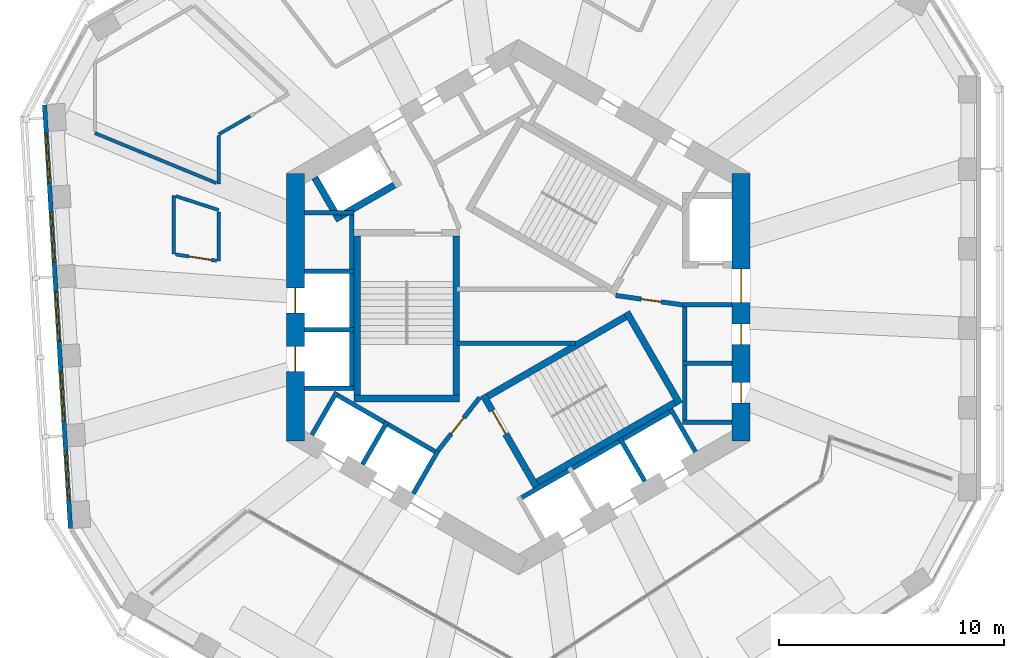
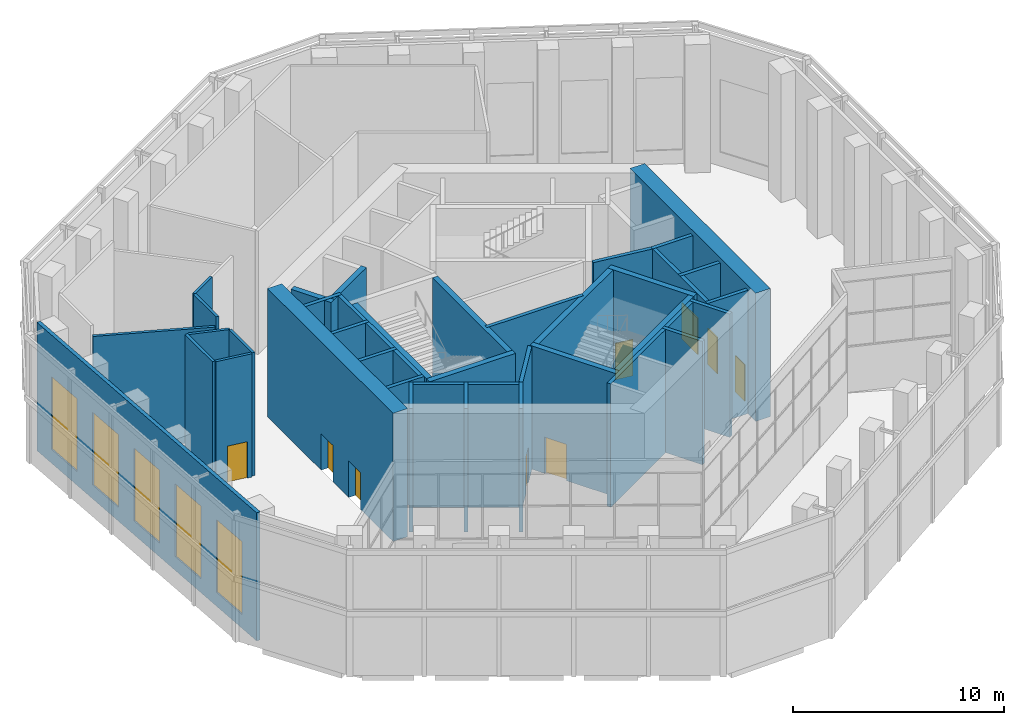
# One storey, part 9 of 17: 38 walls, 9 doors, 5 windows, 14 openings.
"""IFC4 building model written with IfcOpenShell, lengths in metres."""

import ifcopenshell
import ifcopenshell.guid

model = None  # the IFC model being written
_history = None  # IfcOwnerHistory: only IFC2X3 demands one
_inside = {}  # id of a spatial element -> (the spatial element, [elements in it])
_under = {}  # id of a project, library or spatial element -> (it, [spatial elements below it])
_declared = {}  # id of a project -> (the project, [libraries it declares])
_typed = {}  # id of a type object -> (the type object, [elements of that type])
_made_of = {}  # id of a material, layer set ... -> (it, [elements and type objects made of it])


def new_model(schema):
    """Start an empty IFC model of exactly this schema.

    Asked for "IFC4X3", IfcOpenShell would pick the latest addendum, in which some entities
    have other attributes; the version numbers below select the first issue.
    IFC2X3 requires an IfcOwnerHistory on every rooted entity: one is made here for all.
    """
    global model, _history
    if schema == "IFC4X3":
        model = ifcopenshell.file(schema_version=(4, 3, 0, 0))
    else:
        model = ifcopenshell.file(schema=schema)
    _inside.clear()
    _under.clear()
    _declared.clear()
    _typed.clear()
    _made_of.clear()
    _history = None
    if model.schema == "IFC2X3":
        org = make("IfcOrganization", Name="unknown")
        user = make(
            "IfcPersonAndOrganization",
            ThePerson=make("IfcPerson", FamilyName="unknown"),
            TheOrganization=org,
        )
        app = make(
            "IfcApplication",
            ApplicationDeveloper=org,
            Version="unknown",
            ApplicationFullName="unknown",
            ApplicationIdentifier="unknown",
        )
        _history = make(
            "IfcOwnerHistory",
            OwningUser=user,
            OwningApplication=app,
            ChangeAction="ADDED",
            CreationDate=0,
        )
    return model


def make(cls, **values):
    """One entity of the class cls with the attributes given. An attribute that is None is left unset."""
    return model.create_entity(
        cls, **{name: value for name, value in values.items() if value is not None}
    )


def rooted(cls, **values):
    """An entity with a GlobalId (a new one), such as an element, a storey or a relation."""
    return make(cls, GlobalId=ifcopenshell.guid.new(), OwnerHistory=_history, **values)


def si_unit(unit_type, name, prefix=None):
    """IfcSIUnit, for example si_unit("LENGTHUNIT", "METRE", prefix="MILLI")."""
    return make("IfcSIUnit", UnitType=unit_type, Prefix=prefix, Name=name)


def assignment(units):
    """IfcUnitAssignment: the units of a project."""
    return None if units is None else make("IfcUnitAssignment", Units=units)


def point(xyz):
    """IfcCartesianPoint."""
    return None if xyz is None else make("IfcCartesianPoint", Coordinates=xyz)


def direction(xyz):
    """IfcDirection."""
    return None if xyz is None else make("IfcDirection", DirectionRatios=xyz)


def frame(location, z_axis=None, x_axis=None):
    """IfcAxis2Placement3D, a coordinate frame: its origin and axes. An axis left out is left unset."""
    return make(
        "IfcAxis2Placement3D",
        Location=point(location),
        Axis=direction(z_axis),
        RefDirection=direction(x_axis),
    )


def frame_2d(location, x_axis=None):
    """IfcAxis2Placement2D, a coordinate frame in the plane: its origin and x axis."""
    return make(
        "IfcAxis2Placement2D", Location=point(location), RefDirection=direction(x_axis)
    )


def origin():
    """The frame at (0, 0, 0) with its axes left unset."""
    return frame((0.0, 0.0, 0.0))


def place(relative_to, where):
    """IfcLocalPlacement: puts the frame where relative to a parent placement (None: the world)."""
    return make(
        "IfcLocalPlacement", PlacementRelTo=relative_to, RelativePlacement=where
    )


def context(
    kind, dimensions, precision=None, world=None, true_north=None, identifier=None
):
    """IfcGeometricRepresentationContext, for example the 3D "Model" context."""
    return make(
        "IfcGeometricRepresentationContext",
        ContextIdentifier=identifier,
        ContextType=kind,
        CoordinateSpaceDimension=dimensions,
        Precision=precision,
        WorldCoordinateSystem=world,
        TrueNorth=true_north,
    )


def subcontext(parent, identifier, kind, view, scale=None):
    """IfcGeometricRepresentationSubContext, for example "Body" below "Model"."""
    return make(
        "IfcGeometricRepresentationSubContext",
        ContextIdentifier=identifier,
        ContextType=kind,
        ParentContext=parent,
        TargetScale=scale,
        TargetView=view,
    )


def project(units=None, contexts=None):
    """IfcProject with its units and contexts."""
    return rooted(
        "IfcProject",
        Name="project",
        RepresentationContexts=contexts,
        UnitsInContext=assignment(units),
    )


def spatial(cls, under=None, at=None, **own):
    """A site, building, storey or space (cls), placed at a placement, below another one or the project."""
    s = rooted(cls, ObjectPlacement=at, **own)
    if under is not None:
        _under.setdefault(under.id(), (under, []))[1].append(s)
    return s


def profile(cls, at=None, kind="AREA", **sizes):
    """A parametric profile (cls). Its sizes go by their IFC names, for example OverallWidth=200.0."""
    return make(cls, ProfileType=kind, Position=at, **sizes)


def rectangle(**sizes):
    """IfcRectangleProfileDef."""
    return profile("IfcRectangleProfileDef", **sizes)


def extrude(swept, where, along, depth):
    """IfcExtrudedAreaSolid: the profile swept, set in the frame where, extruded along a direction by depth."""
    return make(
        "IfcExtrudedAreaSolid",
        SweptArea=swept,
        Position=where,
        ExtrudedDirection=direction(along),
        Depth=depth,
    )


def shape(context_of_items, identifier, shape_type, items):
    """IfcShapeRepresentation: the items that make up one representation, for example the "Body"."""
    return make(
        "IfcShapeRepresentation",
        ContextOfItems=context_of_items,
        RepresentationIdentifier=identifier,
        RepresentationType=shape_type,
        Items=items,
    )


def material(Name=None, Category=None):
    """IfcMaterial."""
    return make("IfcMaterial", Name=Name, Category=Category)


def layer(
    of_material, thickness, ventilated=None, Name=None, Category=None, Priority=None
):
    """IfcMaterialLayer: one layer of a wall or slab, of a material (None: an air gap)."""
    return make(
        "IfcMaterialLayer",
        Material=of_material,
        LayerThickness=thickness,
        IsVentilated=ventilated,
        Name=Name,
        Category=Category,
        Priority=Priority,
    )


def layer_set(layers, Name=None):
    """IfcMaterialLayerSet."""
    return make("IfcMaterialLayerSet", MaterialLayers=layers, LayerSetName=Name)


def made_of(thing, what):
    """Note that an element or type object is made of a material, layer set ...; save() writes the relation."""
    if what is not None:
        _made_of.setdefault(what.id(), (what, []))[1].append(thing)
    return thing


def type_object(cls, material=None, **own):
    """A type object (cls), such as IfcWallType, which elements share."""
    return made_of(rooted(cls, **own), material)


def element(
    cls,
    number,
    at=None,
    inside=None,
    cuts=None,
    type_object=None,
    material=None,
    context=None,
    identifier="Body",
    shape_type=None,
    held_by="IfcProductDefinitionShape",
    body=None,
    shapes=None,
    **own,
):
    """One element of the class cls, such as IfcWall. Its Tag is "e" and its number.

    at: its placement. inside: the storey or other place that contains it. cuts: it is an
    opening in that element (IfcRelVoidsElement). A single representation is given by context,
    identifier, shape_type and body (its items); several are given by shapes. held_by: the class
    of the entity that holds the representations. save() writes the other relations.
    """
    e = rooted(cls, Tag="e%d" % number, ObjectPlacement=at, **own)
    if body is not None:
        shapes = [shape(context, identifier, shape_type, body)]
    if shapes is not None:
        e.Representation = make(held_by, Representations=shapes)
    if inside is not None:
        _inside.setdefault(inside.id(), (inside, []))[1].append(e)
    if cuts is not None:
        rooted(
            "IfcRelVoidsElement", RelatingBuildingElement=cuts, RelatedOpeningElement=e
        )
    if type_object is not None:
        _typed.setdefault(type_object.id(), (type_object, []))[1].append(e)
    return made_of(e, material)


def fill(opening, filler):
    """IfcRelFillsElement: the door or window that sits in an opening."""
    return rooted(
        "IfcRelFillsElement",
        RelatingOpeningElement=opening,
        RelatedBuildingElement=filler,
    )


def aggregate(whole, parts):
    """IfcRelAggregates: a whole, such as a stair, and the parts it consists of."""
    return rooted("IfcRelAggregates", RelatingObject=whole, RelatedObjects=parts)


def save(model, path):
    """Write the relations noted so far, then the file.

    IfcRelAggregates (storeys below a building ...), IfcRelContainedInSpatialStructure (elements
    in a storey), IfcRelDefinesByType, IfcRelAssociatesMaterial and IfcRelDeclares: one each for
    every whole, place, type object, material and project.
    """
    for whole, parts in _under.values():
        aggregate(whole, parts)
    for where, things in _inside.values():
        rooted(
            "IfcRelContainedInSpatialStructure",
            RelatedElements=things,
            RelatingStructure=where,
        )
    for kind, things in _typed.values():
        rooted("IfcRelDefinesByType", RelatedObjects=things, RelatingType=kind)
    for what, things in _made_of.values():
        rooted("IfcRelAssociatesMaterial", RelatedObjects=things, RelatingMaterial=what)
    for by, libraries in _declared.values():
        rooted("IfcRelDeclares", RelatingContext=by, RelatedDefinitions=libraries)
    model.write(path)


model = new_model("IFC4")

# Units and contexts
model_context = context("Model", 3, precision=1e-05, world=origin(), true_north=direction((0.0, 1.0)))
body_context = subcontext(model_context, "Body", "Model", "MODEL_VIEW")
ifc_project = project(units=[si_unit("LENGTHUNIT", "METRE"), si_unit("AREAUNIT", "SQUARE_METRE"), si_unit("VOLUMEUNIT", "CUBIC_METRE"), si_unit("PLANEANGLEUNIT", "RADIAN"), si_unit("MASSUNIT", "GRAM", prefix="KILO")], contexts=[model_context])

# Site, building, storey
site_placement = place(None, origin())
site = spatial("IfcSite", under=ifc_project, at=site_placement, CompositionType="ELEMENT")
building_placement = place(site_placement, origin())
building = spatial("IfcBuilding", under=site, at=building_placement, Name="Vanh Sen Convention Tower", CompositionType="ELEMENT")
storey_placement = place(building_placement, frame((0.0, 0.0, 214.300048828125)))
storey = spatial("IfcBuildingStorey", under=building, at=storey_placement, Name="L53", CompositionType="ELEMENT", Elevation=214.300048828125)

# Wall, openings, doors
ifc_material_1 = material(Name="Concrete C60/75", Category="concrete")
ifc_layer_1 = layer(ifc_material_1, 0.800048828125)
ifc_layer_set_1 = layer_set([ifc_layer_1], Name="Concrete C60/75")
wall_type_1 = type_object("IfcWallType", Name="Core outer wall 800 C60/75", PredefinedType="SHEAR", material=ifc_layer_set_1)
wall_1_placement = place(storey_placement, frame((9.89990234375, -5.94677734375, 0.0), z_axis=(0.0, 0.0, 1.0), x_axis=(0.0, 1.0, 0.0)))
wall_1 = element("IfcWall", 1, at=wall_1_placement, inside=storey, type_object=wall_type_1, Name="Core wall face E L53", PredefinedType="SHEAR", context=body_context, shape_type="SweptSolid", body=[
    extrude(rectangle(XDim=11.8935546875, YDim=0.800048828125, at=frame_2d((5.94677734375, 0.0))), origin(), (0.0, 0.0, 1.0), 7.39990234375),
])
opening_1_placement = place(wall_1_placement, frame((6.146728515625, 0.0, 0.0)))
opening_1 = element("IfcOpeningElement", 2, at=opening_1_placement, cuts=wall_1, Name="Opening D53001", PredefinedType="OPENING", context=body_context, shape_type="SweptSolid", body=[
    extrude(rectangle(XDim=1.5, YDim=2.10009765625, at=frame_2d((0.75, 1.050048828125))), frame((0.0, 0.409912109375, 0.0), z_axis=(0.0, -1.0, 0.0), x_axis=(1.0, 0.0, 0.0)), (0.0, 0.0, 1.0), 0.820068359375),
])
opening_2_placement = place(wall_1_placement, frame((1.69677734375, 0.0, 0.0)))
opening_2 = element("IfcOpeningElement", 3, at=opening_2_placement, cuts=wall_1, Name="Opening D53010", PredefinedType="OPENING", context=body_context, shape_type="SweptSolid", body=[
    extrude(rectangle(XDim=0.89990234375, YDim=2.10009765625, at=frame_2d((0.449951171875, 1.050048828125))), frame((0.0, 0.409912109375, 0.0), z_axis=(0.0, -1.0, 0.0), x_axis=(1.0, 0.0, 0.0)), (0.0, 0.0, 1.0), 0.820068359375),
])
opening_3_placement = place(wall_1_placement, frame((4.296630859375, 0.0, 0.0)))
opening_3 = element("IfcOpeningElement", 4, at=opening_3_placement, cuts=wall_1, Name="Opening D53011", PredefinedType="OPENING", context=body_context, shape_type="SweptSolid", body=[
    extrude(rectangle(XDim=0.89990234375, YDim=2.10009765625, at=frame_2d((0.449951171875, 1.050048828125))), frame((0.0, 0.409912109375, 0.0), z_axis=(0.0, -1.0, 0.0), x_axis=(1.0, 0.0, 0.0)), (0.0, 0.0, 1.0), 0.820068359375),
])
ifc_material_2 = material(Name="Steel S355", Category="steel")
door_type_1 = type_object("IfcDoorType", Name="Plant door 900", OperationType="SINGLE_SWING_LEFT", PredefinedType="DOOR", material=ifc_material_2)
door_1_placement = place(opening_2_placement, origin())
door_1 = element("IfcDoor", 5, at=door_1_placement, inside=storey, type_object=door_type_1, Name="Plant door D53010", OperationType="SINGLE_SWING_LEFT", OverallHeight=2.10009765625, OverallWidth=0.89990234375, PredefinedType="DOOR", context=body_context, shape_type="SweptSolid", body=[
    extrude(rectangle(XDim=0.89990234375, YDim=2.10009765625, at=frame_2d((0.449951171875, 1.050048828125))), frame((0.0, 0.02490234375, 0.0), z_axis=(0.0, -1.0, 0.0), x_axis=(1.0, 0.0, 0.0)), (0.0, 0.0, 1.0), 0.050048828125),
])
fill(opening_2, door_1)
door_2_placement = place(opening_3_placement, origin())
door_2 = element("IfcDoor", 6, at=door_2_placement, inside=storey, type_object=door_type_1, Name="Plant door D53011", OperationType="SINGLE_SWING_LEFT", OverallHeight=2.10009765625, OverallWidth=0.89990234375, PredefinedType="DOOR", context=body_context, shape_type="SweptSolid", body=[
    extrude(rectangle(XDim=0.89990234375, YDim=2.10009765625, at=frame_2d((0.449951171875, 1.050048828125))), frame((0.0, 0.02490234375, 0.0), z_axis=(0.0, -1.0, 0.0), x_axis=(1.0, 0.0, 0.0)), (0.0, 0.0, 1.0), 0.050048828125),
])
fill(opening_3, door_2)
door_type_2 = type_object("IfcDoorType", Name="Stair lobby door 1500", OperationType="DOUBLE_DOOR_SINGLE_SWING", PredefinedType="DOOR", material=ifc_material_2)
door_3_placement = place(opening_1_placement, origin())
door_3 = element("IfcDoor", 7, at=door_3_placement, inside=storey, type_object=door_type_2, Name="Stair lobby door D53001", OperationType="DOUBLE_DOOR_SINGLE_SWING", OverallHeight=2.10009765625, OverallWidth=1.5, PredefinedType="DOOR", context=body_context, shape_type="SweptSolid", body=[
    extrude(rectangle(XDim=1.5, YDim=2.10009765625, at=frame_2d((0.75, 1.050048828125))), frame((0.0, 0.02490234375, 0.0), z_axis=(0.0, -1.0, 0.0), x_axis=(1.0, 0.0, 0.0)), (0.0, 0.0, 1.0), 0.050048828125),
])
fill(opening_1, door_3)

wall_2_placement = place(storey_placement, frame((-9.89990234375, 5.94677734375, 0.0), z_axis=(0.0, 0.0, 1.0), x_axis=(0.0, -1.0, 0.0)))
wall_2 = element("IfcWall", 8, at=wall_2_placement, inside=storey, type_object=wall_type_1, Name="Core wall face W L53", PredefinedType="SHEAR", context=body_context, shape_type="SweptSolid", body=[
    extrude(rectangle(XDim=11.8935546875, YDim=0.800048828125, at=frame_2d((5.94677734375, 0.0))), origin(), (0.0, 0.0, 1.0), 7.39990234375),
])
opening_4_placement = place(wall_2_placement, frame((5.0966796875, 0.0, 0.0)))
opening_4 = element("IfcOpeningElement", 9, at=opening_4_placement, cuts=wall_2, Name="Opening LD-HR1", PredefinedType="OPENING", context=body_context, shape_type="SweptSolid", body=[
    extrude(rectangle(XDim=1.10009765625, YDim=2.10009765625, at=frame_2d((0.550048828125, 1.050048828125))), frame((0.0, 0.409912109375, 0.0), z_axis=(0.0, -1.0, 0.0), x_axis=(1.0, 0.0, 0.0)), (0.0, 0.0, 1.0), 0.820068359375),
])
opening_5_placement = place(wall_2_placement, frame((7.69677734375, 0.0, 0.0)))
opening_5 = element("IfcOpeningElement", 10, at=opening_5_placement, cuts=wall_2, Name="Opening LD-HR2", PredefinedType="OPENING", context=body_context, shape_type="SweptSolid", body=[
    extrude(rectangle(XDim=1.10009765625, YDim=2.10009765625, at=frame_2d((0.550048828125, 1.050048828125))), frame((0.0, 0.409912109375, 0.0), z_axis=(0.0, -1.0, 0.0), x_axis=(1.0, 0.0, 0.0)), (0.0, 0.0, 1.0), 0.820068359375),
])
ifc_material_3 = material(Name="Stainless steel", Category="steel")
door_type_3 = type_object("IfcDoorType", Name="Lift landing door 1100", OperationType="DOUBLE_DOOR_SLIDING", PredefinedType="DOOR", material=ifc_material_3)
door_4_placement = place(opening_4_placement, origin())
door_4 = element("IfcDoor", 11, at=door_4_placement, inside=storey, type_object=door_type_3, Name="Lift HR1 landing door LD-HR1", OperationType="DOUBLE_DOOR_SLIDING", OverallHeight=2.10009765625, OverallWidth=1.10009765625, PredefinedType="DOOR", context=body_context, shape_type="SweptSolid", body=[
    extrude(rectangle(XDim=1.10009765625, YDim=2.10009765625, at=frame_2d((0.550048828125, 1.050048828125))), frame((0.0, 0.02490234375, 0.0), z_axis=(0.0, -1.0, 0.0), x_axis=(1.0, 0.0, 0.0)), (0.0, 0.0, 1.0), 0.050048828125),
])
fill(opening_4, door_4)
door_5_placement = place(opening_5_placement, origin())
door_5 = element("IfcDoor", 12, at=door_5_placement, inside=storey, type_object=door_type_3, Name="Lift HR2 landing door LD-HR2", OperationType="DOUBLE_DOOR_SLIDING", OverallHeight=2.10009765625, OverallWidth=1.10009765625, PredefinedType="DOOR", context=body_context, shape_type="SweptSolid", body=[
    extrude(rectangle(XDim=1.10009765625, YDim=2.10009765625, at=frame_2d((0.550048828125, 1.050048828125))), frame((0.0, 0.02490234375, 0.0), z_axis=(0.0, -1.0, 0.0), x_axis=(1.0, 0.0, 0.0)), (0.0, 0.0, 1.0), 0.050048828125),
])
fill(opening_5, door_5)

# Wall
ifc_material_4 = material(Name="Masonry blockwork", Category="masonry")
ifc_layer_2 = layer(ifc_material_4, 0.199951171875)
ifc_layer_set_2 = layer_set([ifc_layer_2], Name="Masonry blockwork")
wall_type_2 = type_object("IfcWallType", Name="Core partition 200", PredefinedType="PARTITIONING", material=ifc_layer_set_2)
wall_3_placement = place(storey_placement, frame((-2.719970703125, -1.60009765625, 0.0), z_axis=(0.0, 0.0, 1.0), x_axis=(1.0, 0.0, 0.0)))
element("IfcWall", 13, at=wall_3_placement, inside=storey, type_object=wall_type_2, Name="Core partition L53", PredefinedType="PARTITIONING", context=body_context, shape_type="SweptSolid", body=[
    extrude(rectangle(XDim=5.2685546875, YDim=0.199951171875, at=frame_2d((2.63427734375, 0.0))), origin(), (0.0, 0.0, 1.0), 7.119873046875),
])

# Wall, openings, windows
ifc_material_5 = material(Name="Insulated lightweight infill wall")
ifc_layer_3 = layer(ifc_material_5, 0.199951171875)
ifc_layer_set_3 = layer_set([ifc_layer_3], Name="Insulated lightweight infill wall")
wall_type_3 = type_object("IfcWallType", Name="External wall 200", PredefinedType="STANDARD", material=ifc_layer_set_3)
wall_4_placement = place(storey_placement, frame((-21.03759765625, 8.983642578125, 0.0), z_axis=(0.0, 0.0, 1.0), x_axis=(0.061043935634, -0.998135079998, 0.0)))
wall_4 = element("IfcWall", 14, at=wall_4_placement, inside=storey, type_object=wall_type_3, Name="External wall W L53", PredefinedType="STANDARD", context=body_context, shape_type="SweptSolid", body=[
    extrude(rectangle(XDim=18.84130859375, YDim=0.199951171875, at=frame_2d((9.420654296875, 0.0))), origin(), (0.0, 0.0, 1.0), 7.39990234375),
])
opening_6_placement = place(wall_4_placement, frame((1.252685546875, 0.0, 0.800048828125)))
opening_6 = element("IfcOpeningElement", 15, at=opening_6_placement, cuts=wall_4, Name="Opening WS4-W1", PredefinedType="OPENING", context=body_context, shape_type="SweptSolid", body=[
    extrude(rectangle(XDim=2.199951171875, YDim=4.199951171875, at=frame_2d((1.10009765625, 2.10009765625))), frame((0.0, 0.10986328125, 0.0), z_axis=(0.0, -1.0, 0.0), x_axis=(1.0, 0.0, 0.0)), (0.0, 0.0, 1.0), 0.219970703125),
])
opening_7_placement = place(wall_4_placement, frame((4.7861328125, 0.0, 0.800048828125)))
opening_7 = element("IfcOpeningElement", 16, at=opening_7_placement, cuts=wall_4, Name="Opening WS4-W2", PredefinedType="OPENING", context=body_context, shape_type="SweptSolid", body=[
    extrude(rectangle(XDim=2.199951171875, YDim=4.199951171875, at=frame_2d((1.10009765625, 2.10009765625))), frame((0.0, 0.10986328125, 0.0), z_axis=(0.0, -1.0, 0.0), x_axis=(1.0, 0.0, 0.0)), (0.0, 0.0, 1.0), 0.219970703125),
])
opening_8_placement = place(wall_4_placement, frame((8.31982421875, 0.0, 0.800048828125)))
opening_8 = element("IfcOpeningElement", 17, at=opening_8_placement, cuts=wall_4, Name="Opening WS4-W3", PredefinedType="OPENING", context=body_context, shape_type="SweptSolid", body=[
    extrude(rectangle(XDim=2.199951171875, YDim=4.199951171875, at=frame_2d((1.10009765625, 2.10009765625))), frame((0.0, 0.10986328125, 0.0), z_axis=(0.0, -1.0, 0.0), x_axis=(1.0, 0.0, 0.0)), (0.0, 0.0, 1.0), 0.219970703125),
])
opening_9_placement = place(wall_4_placement, frame((11.853515625, 0.0, 0.800048828125)))
opening_9 = element("IfcOpeningElement", 18, at=opening_9_placement, cuts=wall_4, Name="Opening WS4-W4", PredefinedType="OPENING", context=body_context, shape_type="SweptSolid", body=[
    extrude(rectangle(XDim=2.199951171875, YDim=4.199951171875, at=frame_2d((1.10009765625, 2.10009765625))), frame((0.0, 0.10986328125, 0.0), z_axis=(0.0, -1.0, 0.0), x_axis=(1.0, 0.0, 0.0)), (0.0, 0.0, 1.0), 0.219970703125),
])
opening_10_placement = place(wall_4_placement, frame((15.38720703125, 0.0, 0.800048828125)))
opening_10 = element("IfcOpeningElement", 19, at=opening_10_placement, cuts=wall_4, Name="Opening WS4-W5", PredefinedType="OPENING", context=body_context, shape_type="SweptSolid", body=[
    extrude(rectangle(XDim=2.199951171875, YDim=4.199951171875, at=frame_2d((1.10009765625, 2.10009765625))), frame((0.0, 0.10986328125, 0.0), z_axis=(0.0, -1.0, 0.0), x_axis=(1.0, 0.0, 0.0)), (0.0, 0.0, 1.0), 0.219970703125),
])
ifc_material_6 = material(Name="Aluminium frame with clear low-emissivity glass", Category="aluminium")
window_type = type_object("IfcWindowType", Name="Sky garden window 2200 x 4200", PartitioningType="SINGLE_PANEL", PredefinedType="WINDOW", material=ifc_material_6)
window_1_placement = place(opening_6_placement, origin())
window_1 = element("IfcWindow", 20, at=window_1_placement, inside=storey, type_object=window_type, Name="Window WS4-W1", OverallHeight=4.199951171875, OverallWidth=2.199951171875, PartitioningType="SINGLE_PANEL", PredefinedType="WINDOW", context=body_context, shape_type="SweptSolid", body=[
    extrude(rectangle(XDim=2.199951171875, YDim=4.199951171875, at=frame_2d((1.10009765625, 2.10009765625))), frame((0.0, 0.030029296875, 0.0), z_axis=(0.0, -1.0, 0.0), x_axis=(1.0, 0.0, 0.0)), (0.0, 0.0, 1.0), 0.06005859375),
])
fill(opening_6, window_1)
window_2_placement = place(opening_7_placement, origin())
window_2 = element("IfcWindow", 21, at=window_2_placement, inside=storey, type_object=window_type, Name="Window WS4-W2", OverallHeight=4.199951171875, OverallWidth=2.199951171875, PartitioningType="SINGLE_PANEL", PredefinedType="WINDOW", context=body_context, shape_type="SweptSolid", body=[
    extrude(rectangle(XDim=2.199951171875, YDim=4.199951171875, at=frame_2d((1.10009765625, 2.10009765625))), frame((0.0, 0.030029296875, 0.0), z_axis=(0.0, -1.0, 0.0), x_axis=(1.0, 0.0, 0.0)), (0.0, 0.0, 1.0), 0.06005859375),
])
fill(opening_7, window_2)
window_3_placement = place(opening_8_placement, origin())
window_3 = element("IfcWindow", 22, at=window_3_placement, inside=storey, type_object=window_type, Name="Window WS4-W3", OverallHeight=4.199951171875, OverallWidth=2.199951171875, PartitioningType="SINGLE_PANEL", PredefinedType="WINDOW", context=body_context, shape_type="SweptSolid", body=[
    extrude(rectangle(XDim=2.199951171875, YDim=4.199951171875, at=frame_2d((1.10009765625, 2.10009765625))), frame((0.0, 0.030029296875, 0.0), z_axis=(0.0, -1.0, 0.0), x_axis=(1.0, 0.0, 0.0)), (0.0, 0.0, 1.0), 0.06005859375),
])
fill(opening_8, window_3)
window_4_placement = place(opening_9_placement, origin())
window_4 = element("IfcWindow", 23, at=window_4_placement, inside=storey, type_object=window_type, Name="Window WS4-W4", OverallHeight=4.199951171875, OverallWidth=2.199951171875, PartitioningType="SINGLE_PANEL", PredefinedType="WINDOW", context=body_context, shape_type="SweptSolid", body=[
    extrude(rectangle(XDim=2.199951171875, YDim=4.199951171875, at=frame_2d((1.10009765625, 2.10009765625))), frame((0.0, 0.030029296875, 0.0), z_axis=(0.0, -1.0, 0.0), x_axis=(1.0, 0.0, 0.0)), (0.0, 0.0, 1.0), 0.06005859375),
])
fill(opening_9, window_4)
window_5_placement = place(opening_10_placement, origin())
window_5 = element("IfcWindow", 24, at=window_5_placement, inside=storey, type_object=window_type, Name="Window WS4-W5", OverallHeight=4.199951171875, OverallWidth=2.199951171875, PartitioningType="SINGLE_PANEL", PredefinedType="WINDOW", context=body_context, shape_type="SweptSolid", body=[
    extrude(rectangle(XDim=2.199951171875, YDim=4.199951171875, at=frame_2d((1.10009765625, 2.10009765625))), frame((0.0, 0.030029296875, 0.0), z_axis=(0.0, -1.0, 0.0), x_axis=(1.0, 0.0, 0.0)), (0.0, 0.0, 1.0), 0.06005859375),
])
fill(opening_10, window_5)

# Walls
ifc_layer_4 = layer(ifc_material_1, 0.300048828125)
ifc_layer_set_4 = layer_set([ifc_layer_4], Name="Concrete C60/75")
wall_type_4 = type_object("IfcWallType", Name="Fire-fighting lift shaft wall 300", PredefinedType="SHEAR", material=ifc_layer_set_4)
wall_5_placement = place(storey_placement, frame((-5.240478515625, 5.576904296875, 0.0), z_axis=(0.0, 0.0, 1.0), x_axis=(-0.866014461049, -0.500018952895, 0.0)))
element("IfcWall", 25, at=wall_5_placement, inside=storey, type_object=wall_type_4, Name="Fire-fighting lift shaft wall L53", PredefinedType="SHEAR", context=body_context, shape_type="SweptSolid", body=[
    extrude(rectangle(XDim=3.349853515625, YDim=0.300048828125, at=frame_2d((1.6748046875, 0.0))), origin(), (0.0, 0.0, 1.0), 7.119873046875),
])
wall_6_placement = place(storey_placement, frame((-7.936767578125, 3.846923828125, 0.0), z_axis=(0.0, 0.0, 1.0), x_axis=(-0.50002983664, 0.866008176907, 0.0)))
element("IfcWall", 26, at=wall_6_placement, inside=storey, type_object=wall_type_4, Name="Fire-fighting lift shaft wall L53", PredefinedType="SHEAR", context=body_context, shape_type="SweptSolid", body=[
    extrude(rectangle(XDim=2.199951171875, YDim=0.300048828125, at=frame_2d((1.10009765625, 0.0))), origin(), (0.0, 0.0, 1.0), 7.119873046875),
])
ifc_material_7 = material(Name="Concrete C40/50", Category="concrete")
ifc_layer_5 = layer(ifc_material_7, 0.199951171875)
ifc_layer_set_5 = layer_set([ifc_layer_5], Name="Concrete C40/50")
wall_type_5 = type_object("IfcWallType", Name="Lift shaft wall 200", PredefinedType="PARTITIONING", material=ifc_layer_set_5)
wall_7_placement = place(storey_placement, frame((7.39990234375, -5.199951171875, 0.0), z_axis=(0.0, 0.0, 1.0), x_axis=(0.0, 1.0, 0.0)))
element("IfcWall", 27, at=wall_7_placement, inside=storey, type_object=wall_type_5, Name="Lift shaft wall L53", PredefinedType="PARTITIONING", context=body_context, shape_type="SweptSolid", body=[
    extrude(rectangle(XDim=5.39990234375, YDim=0.199951171875, at=frame_2d((2.699951171875, 0.0))), origin(), (0.0, 0.0, 1.0), 7.119873046875),
])
for number, where, z_axis, x_axis, name in (
    (28, (7.300048828125, -5.10009765625, 0.0), (0.0, 0.0, 1.0), (1.0, 0.0, 0.0), "Lift shaft wall L53"),
    (29, (7.300048828125, -2.5, 0.0), (0.0, 0.0, 1.0), (1.0, 0.0, 0.0), "Lift shaft wall L53"),
    (30, (7.300048828125, 0.10009765625, 0.0), (0.0, 0.0, 1.0), (1.0, 0.0, 0.0), "Lift shaft wall L53"),
):
    element("IfcWall", number, at=place(storey_placement, frame(where, z_axis=z_axis, x_axis=x_axis)), inside=storey, type_object=wall_type_5, Name=name, PredefinedType="PARTITIONING", context=body_context, shape_type="SweptSolid", body=[
        extrude(rectangle(XDim=2.199951171875, YDim=0.199951171875, at=frame_2d((1.10009765625, 0.0))), origin(), (0.0, 0.0, 1.0), 7.119873046875),
    ])
wall_8_placement = place(storey_placement, frame((-7.39990234375, 4.300048828125, 0.0), z_axis=(0.0, 0.0, 1.0), x_axis=(0.0, -1.0, 0.0)))
element("IfcWall", 31, at=wall_8_placement, inside=storey, type_object=wall_type_5, Name="Lift shaft wall L53", PredefinedType="PARTITIONING", context=body_context, shape_type="SweptSolid", body=[
    extrude(rectangle(XDim=8.0, YDim=0.199951171875, at=frame_2d((4.0, 0.0))), origin(), (0.0, 0.0, 1.0), 7.119873046875),
])
for number, where, z_axis, x_axis, name in (
    (32, (-7.300048828125, 4.199951171875, 0.0), (0.0, 0.0, 1.0), (-1.0, 0.0, 0.0), "Lift shaft wall L53"),
    (33, (-7.300048828125, 1.60009765625, 0.0), (0.0, 0.0, 1.0), (-1.0, 0.0, 0.0), "Lift shaft wall L53"),
    (34, (-7.300048828125, -1.0, 0.0), (0.0, 0.0, 1.0), (-1.0, 0.0, 0.0), "Lift shaft wall L53"),
    (35, (-7.300048828125, -3.60009765625, 0.0), (0.0, 0.0, 1.0), (-1.0, 0.0, 0.0), "Lift shaft wall L53"),
):
    element("IfcWall", number, at=place(storey_placement, frame(where, z_axis=z_axis, x_axis=x_axis)), inside=storey, type_object=wall_type_5, Name=name, PredefinedType="PARTITIONING", context=body_context, shape_type="SweptSolid", body=[
        extrude(rectangle(XDim=2.199951171875, YDim=0.199951171875, at=frame_2d((1.10009765625, 0.0))), origin(), (0.0, 0.0, 1.0), 7.119873046875),
    ])
wall_9_placement = place(storey_placement, frame((-8.203369140625, -3.80859375, 0.0), z_axis=(0.0, 0.0, 1.0), x_axis=(0.866028230842, -0.499995103361, 0.0)))
element("IfcWall", 36, at=wall_9_placement, inside=storey, type_object=wall_type_5, Name="Lift shaft wall L53", PredefinedType="PARTITIONING", context=body_context, shape_type="SweptSolid", body=[
    extrude(rectangle(XDim=5.39990234375, YDim=0.199951171875, at=frame_2d((2.699951171875, 0.0))), origin(), (0.0, 0.0, 1.0), 7.119873046875),
])
for number, where, z_axis, x_axis, name in (
    (37, (-8.066650390625, -3.77197265625, 0.0), (0.0, 0.0, 1.0), (-0.50002983664, -0.866008176907, 0.0), "Lift shaft wall L53"),
    (38, (-5.815185546875, -5.072021484375, 0.0), (0.0, 0.0, 1.0), (-0.499946605688, -0.86605622881, 0.0), "Lift shaft wall L53"),
):
    element("IfcWall", number, at=place(storey_placement, frame(where, z_axis=z_axis, x_axis=x_axis)), inside=storey, type_object=wall_type_5, Name=name, PredefinedType="PARTITIONING", context=body_context, shape_type="SweptSolid", body=[
        extrude(rectangle(XDim=2.199951171875, YDim=0.199951171875, at=frame_2d((1.10009765625, 0.0))), origin(), (0.0, 0.0, 1.0), 7.119873046875),
    ])
wall_10_placement = place(storey_placement, frame((-3.5634765625, -6.3720703125, 0.0), z_axis=(0.0, 0.0, 1.0), x_axis=(-0.499994660107, -0.866028486751, 0.0)))
element("IfcWall", 39, at=wall_10_placement, inside=storey, type_object=wall_type_5, Name="Lift shaft wall L53", PredefinedType="PARTITIONING", context=body_context, shape_type="SweptSolid", body=[
    extrude(rectangle(XDim=2.19970703125, YDim=0.199951171875, at=frame_2d((1.099853515625, 0.0))), origin(), (0.0, 0.0, 1.0), 7.119873046875),
])
wall_11_placement = place(storey_placement, frame((-0.02392578125, -8.55859375, 0.0), z_axis=(0.0, 0.0, 1.0), x_axis=(0.866026010844, 0.49999894854, 0.0)))
element("IfcWall", 40, at=wall_11_placement, inside=storey, type_object=wall_type_5, Name="Lift shaft wall L53", PredefinedType="PARTITIONING", context=body_context, shape_type="SweptSolid", body=[
    extrude(rectangle(XDim=8.0, YDim=0.199951171875, at=frame_2d((4.0, 0.0))), origin(), (0.0, 0.0, 1.0), 7.119873046875),
])
for number, where, z_axis, x_axis, name in (
    (41, (4.51611328125, -5.822021484375, 0.0), (0.0, 0.0, 1.0), (0.499946605688, -0.86605622881, 0.0), "Lift shaft wall L53"),
    (42, (6.767578125, -4.52197265625, 0.0), (0.0, 0.0, 1.0), (0.50002983664, -0.866008176907, 0.0), "Lift shaft wall L53"),
):
    element("IfcWall", number, at=place(storey_placement, frame(where, z_axis=z_axis, x_axis=x_axis)), inside=storey, type_object=wall_type_5, Name=name, PredefinedType="PARTITIONING", context=body_context, shape_type="SweptSolid", body=[
        extrude(rectangle(XDim=2.199951171875, YDim=0.199951171875, at=frame_2d((1.10009765625, 0.0))), origin(), (0.0, 0.0, 1.0), 7.119873046875),
    ])

# Wall, opening, door
ifc_material_8 = material(Name="Gypsum board on steel studs", Category="steel")
ifc_layer_6 = layer(ifc_material_8, 0.14990234375)
ifc_layer_set_6 = layer_set([ifc_layer_6], Name="Gypsum board on steel studs")
wall_type_6 = type_object("IfcWallType", Name="Partition 150", PredefinedType="PARTITIONING", material=ifc_layer_set_6)
wall_12_placement = place(storey_placement, frame((-13.39892578125, 2.062744140625, 0.0), z_axis=(0.0, 0.0, 1.0), x_axis=(-0.988354850272, 0.152166651878, 0.0)))
wall_12 = element("IfcWall", 43, at=wall_12_placement, inside=storey, type_object=wall_type_6, Name="Partition L53-001", PredefinedType="PARTITIONING", context=body_context, shape_type="SweptSolid", body=[
    extrude(rectangle(XDim=1.843505859375, YDim=0.14990234375, at=frame_2d((0.921875, 0.0))), origin(), (0.0, 0.0, 1.0), 7.119873046875),
])
opening_11_placement = place(wall_12_placement, frame((0.25, 0.0, 0.0)))
opening_11 = element("IfcOpeningElement", 44, at=opening_11_placement, cuts=wall_12, Name="Opening D53101", PredefinedType="OPENING", context=body_context, shape_type="SweptSolid", body=[
    extrude(rectangle(XDim=1.0, YDim=2.10009765625, at=frame_2d((0.5, 1.050048828125))), frame((0.0, 0.0849609375, 0.0), z_axis=(0.0, -1.0, 0.0), x_axis=(1.0, 0.0, 0.0)), (0.0, 0.0, 1.0), 0.169921875),
])
ifc_material_9 = material(Name="Timber door in steel frame", Category="steel")
door_type_4 = type_object("IfcDoorType", Name="Room door 1000", OperationType="SINGLE_SWING_LEFT", PredefinedType="DOOR", material=ifc_material_9)
door_6_placement = place(opening_11_placement, origin())
door_6 = element("IfcDoor", 45, at=door_6_placement, inside=storey, type_object=door_type_4, Name="Room door D53101", OperationType="SINGLE_SWING_LEFT", OverallHeight=2.10009765625, OverallWidth=1.0, PredefinedType="DOOR", context=body_context, shape_type="SweptSolid", body=[
    extrude(rectangle(XDim=1.0, YDim=2.10009765625, at=frame_2d((0.5, 1.050048828125))), frame((0.0, 0.02490234375, 0.0), z_axis=(0.0, -1.0, 0.0), x_axis=(1.0, 0.0, 0.0)), (0.0, 0.0, 1.0), 0.050048828125),
])
fill(opening_11, door_6)

# Walls
wall_13_placement = place(storey_placement, frame((-15.300048828125, 2.35546875, 0.0), z_axis=(0.0, 0.0, 1.0), x_axis=(0.0, 1.0, 0.0)))
element("IfcWall", 46, at=wall_13_placement, inside=storey, type_object=wall_type_6, Name="Partition L53-002", PredefinedType="PARTITIONING", context=body_context, shape_type="SweptSolid", body=[
    extrude(rectangle(XDim=2.60595703125, YDim=0.14990234375, at=frame_2d((1.302978515625, 0.0))), origin(), (0.0, 0.0, 1.0), 7.119873046875),
])
wall_14_placement = place(storey_placement, frame((-13.300048828125, 4.23291015625, 0.0), z_axis=(0.0, 0.0, 1.0), x_axis=(0.0, -1.0, 0.0)))
element("IfcWall", 47, at=wall_14_placement, inside=storey, type_object=wall_type_6, Name="Partition L53-003", PredefinedType="PARTITIONING", context=body_context, shape_type="SweptSolid", body=[
    extrude(rectangle(XDim=2.185302734375, YDim=0.14990234375, at=frame_2d((1.0927734375, 0.0))), origin(), (0.0, 0.0, 1.0), 7.119873046875),
])
wall_15_placement = place(storey_placement, frame((-15.204833984375, 4.9306640625, 0.0), z_axis=(0.0, 0.0, 1.0), x_axis=(0.951236355981, -0.308462955733, 0.0)))
element("IfcWall", 48, at=wall_15_placement, inside=storey, type_object=wall_type_6, Name="Partition L53-004", PredefinedType="PARTITIONING", context=body_context, shape_type="SweptSolid", body=[
    extrude(rectangle(XDim=2.00244140625, YDim=0.14990234375, at=frame_2d((1.001220703125, 0.0))), origin(), (0.0, 0.0, 1.0), 7.119873046875),
])
wall_16_placement = place(storey_placement, frame((-13.410888671875, 5.513671875, 0.0), z_axis=(0.0, 0.0, 1.0), x_axis=(-0.924874082037, 0.380273496809, 0.0)))
element("IfcWall", 49, at=wall_16_placement, inside=storey, type_object=wall_type_6, Name="Partition L53-005", PredefinedType="PARTITIONING", context=body_context, shape_type="SweptSolid", body=[
    extrude(rectangle(XDim=5.826904296875, YDim=0.14990234375, at=frame_2d((2.91357421875, 0.0))), origin(), (0.0, 0.0, 1.0), 6.570068359375),
])
wall_17_placement = place(storey_placement, frame((-13.300048828125, 7.618896484375, 0.0), z_axis=(0.0, 0.0, 1.0), x_axis=(0.0, -1.0, 0.0)))
element("IfcWall", 50, at=wall_17_placement, inside=storey, type_object=wall_type_6, Name="Partition L53-006", PredefinedType="PARTITIONING", context=body_context, shape_type="SweptSolid", body=[
    extrude(rectangle(XDim=2.15087890625, YDim=0.14990234375, at=frame_2d((1.075439453125, 0.0))), origin(), (0.0, 0.0, 1.0), 7.119873046875),
])
wall_18_placement = place(storey_placement, frame((-11.9150390625, 8.478515625, 0.0), z_axis=(0.0, 0.0, 1.0), x_axis=(-0.86604576824, -0.499964726069, 0.0)))
element("IfcWall", 51, at=wall_18_placement, inside=storey, type_object=wall_type_6, Name="Partition L53-008", PredefinedType="PARTITIONING", context=body_context, shape_type="SweptSolid", body=[
    extrude(rectangle(XDim=1.59912109375, YDim=0.14990234375, at=frame_2d((0.799560546875, 0.0))), origin(), (0.0, 0.0, 1.0), 7.119873046875),
])

# Wall, opening, door
ifc_layer_7 = layer(ifc_material_7, 0.199951171875)
ifc_layer_set_7 = layer_set([ifc_layer_7], Name="Concrete C40/50")
wall_type_7 = type_object("IfcWallType", Name="Stair lobby wall 200", PredefinedType="PARTITIONING", material=ifc_layer_set_7)
wall_19_placement = place(storey_placement, frame((4.327392578125, 0.52099609375, 0.0), z_axis=(0.0, 0.0, 1.0), x_axis=(0.990124376366, -0.14019172346, 0.0)))
wall_19 = element("IfcWall", 52, at=wall_19_placement, inside=storey, type_object=wall_type_7, Name="Stair lobby wall L53", PredefinedType="PARTITIONING", context=body_context, shape_type="SweptSolid", body=[
    extrude(rectangle(XDim=3.002197265625, YDim=0.199951171875, at=frame_2d((1.5009765625, 0.0))), origin(), (0.0, 0.0, 1.0), 7.119873046875),
])
opening_12_placement = place(wall_19_placement, frame((1.14990234375, 0.0, 0.0)))
opening_12 = element("IfcOpeningElement", 53, at=opening_12_placement, cuts=wall_19, Name="Opening D53007", PredefinedType="OPENING", context=body_context, shape_type="SweptSolid", body=[
    extrude(rectangle(XDim=0.89990234375, YDim=2.10009765625, at=frame_2d((0.449951171875, 1.050048828125))), frame((0.0, 0.10986328125, 0.0), z_axis=(0.0, -1.0, 0.0), x_axis=(1.0, 0.0, 0.0)), (0.0, 0.0, 1.0), 0.219970703125),
])
door_7_placement = place(opening_12_placement, origin())
door_7 = element("IfcDoor", 54, at=door_7_placement, inside=storey, type_object=door_type_1, Name="Plant door D53007", OperationType="SINGLE_SWING_LEFT", OverallHeight=2.10009765625, OverallWidth=0.89990234375, PredefinedType="DOOR", context=body_context, shape_type="SweptSolid", body=[
    extrude(rectangle(XDim=0.89990234375, YDim=2.10009765625, at=frame_2d((0.449951171875, 1.050048828125))), frame((0.0, 0.02490234375, 0.0), z_axis=(0.0, -1.0, 0.0), x_axis=(1.0, 0.0, 0.0)), (0.0, 0.0, 1.0), 0.050048828125),
])
fill(opening_12, door_7)

wall_20_placement = place(storey_placement, frame((-1.71240234375, -4.00830078125, 0.0), z_axis=(0.0, 0.0, 1.0), x_axis=(-0.616549420702, -0.787316208287, 0.0)))
wall_20 = element("IfcWall", 55, at=wall_20_placement, inside=storey, type_object=wall_type_7, Name="Stair lobby wall L53", PredefinedType="PARTITIONING", context=body_context, shape_type="SweptSolid", body=[
    extrude(rectangle(XDim=3.002197265625, YDim=0.199951171875, at=frame_2d((1.5009765625, 0.0))), origin(), (0.0, 0.0, 1.0), 7.119873046875),
])
opening_13_placement = place(wall_20_placement, frame((1.14990234375, 0.0, 0.0)))
opening_13 = element("IfcOpeningElement", 56, at=opening_13_placement, cuts=wall_20, Name="Opening D53009", PredefinedType="OPENING", context=body_context, shape_type="SweptSolid", body=[
    extrude(rectangle(XDim=0.89990234375, YDim=2.10009765625, at=frame_2d((0.449951171875, 1.050048828125))), frame((0.0, 0.10986328125, 0.0), z_axis=(0.0, -1.0, 0.0), x_axis=(1.0, 0.0, 0.0)), (0.0, 0.0, 1.0), 0.219970703125),
])
door_8_placement = place(opening_13_placement, origin())
door_8 = element("IfcDoor", 57, at=door_8_placement, inside=storey, type_object=door_type_1, Name="Plant door D53009", OperationType="SINGLE_SWING_LEFT", OverallHeight=2.10009765625, OverallWidth=0.89990234375, PredefinedType="DOOR", context=body_context, shape_type="SweptSolid", body=[
    extrude(rectangle(XDim=0.89990234375, YDim=2.10009765625, at=frame_2d((0.449951171875, 1.050048828125))), frame((0.0, 0.02490234375, 0.0), z_axis=(0.0, -1.0, 0.0), x_axis=(1.0, 0.0, 0.0)), (0.0, 0.0, 1.0), 0.050048828125),
])
fill(opening_13, door_8)

# Walls
ifc_layer_8 = layer(ifc_material_1, 0.300048828125)
ifc_layer_set_8 = layer_set([ifc_layer_8], Name="Concrete C60/75")
wall_type_8 = type_object("IfcWallType", Name="Stair wall 300", PredefinedType="SHEAR", material=ifc_layer_set_8)
wall_21_placement = place(storey_placement, frame((-2.60009765625, -4.06005859375, 0.0), z_axis=(0.0, 0.0, 1.0), x_axis=(-1.0, 0.0, 0.0)))
element("IfcWall", 58, at=wall_21_placement, inside=storey, type_object=wall_type_8, Name="Stair wall L53", PredefinedType="SHEAR", context=body_context, shape_type="SweptSolid", body=[
    extrude(rectangle(XDim=4.699951171875, YDim=0.300048828125, at=frame_2d((2.35009765625, 0.0))), origin(), (0.0, 0.0, 1.0), 7.119873046875),
])
for number, where, z_axis, x_axis, name in (
    (59, (-2.75, 3.14990234375, 0.0), (0.0, 0.0, 1.0), (0.0, -1.0, 0.0), "Stair wall L53"),
    (60, (-7.14990234375, 3.14990234375, 0.0), (0.0, 0.0, 1.0), (0.0, -1.0, 0.0), "Stair wall L53"),
):
    element("IfcWall", number, at=place(storey_placement, frame(where, z_axis=z_axis, x_axis=x_axis)), inside=storey, type_object=wall_type_8, Name=name, PredefinedType="SHEAR", context=body_context, shape_type="SweptSolid", body=[
        extrude(rectangle(XDim=7.059814453125, YDim=0.300048828125, at=frame_2d((3.52978515625, 0.0))), origin(), (0.0, 0.0, 1.0), 7.119873046875),
    ])

# Wall, opening, door
wall_22_placement = place(storey_placement, frame((-1.557861328125, -3.901611328125, 0.0), z_axis=(0.0, 0.0, 1.0), x_axis=(0.499977259774, -0.866038532462, 0.0)))
wall_22 = element("IfcWall", 61, at=wall_22_placement, inside=storey, type_object=wall_type_8, Name="Stair wall L53", PredefinedType="SHEAR", context=body_context, shape_type="SweptSolid", body=[
    extrude(rectangle(XDim=4.699951171875, YDim=0.300048828125, at=frame_2d((2.35009765625, 0.0))), origin(), (0.0, 0.0, 1.0), 7.119873046875),
])
opening_14_placement = place(wall_22_placement, frame((0.800048828125, 0.0, 0.0)))
opening_14 = element("IfcOpeningElement", 62, at=opening_14_placement, cuts=wall_22, Name="Opening D53006", PredefinedType="OPENING", context=body_context, shape_type="SweptSolid", body=[
    extrude(rectangle(XDim=1.199951171875, YDim=2.10009765625, at=frame_2d((0.60009765625, 1.050048828125))), frame((0.0, 0.159912109375, 0.0), z_axis=(0.0, -1.0, 0.0), x_axis=(1.0, 0.0, 0.0)), (0.0, 0.0, 1.0), 0.320068359375),
])
door_type_5 = type_object("IfcDoorType", Name="Stair door 1200", OperationType="SINGLE_SWING_RIGHT", PredefinedType="DOOR", material=ifc_material_2)
door_9_placement = place(opening_14_placement, origin())
door_9 = element("IfcDoor", 63, at=door_9_placement, inside=storey, type_object=door_type_5, Name="Stair ST3 door D53006", OperationType="SINGLE_SWING_RIGHT", OverallHeight=2.10009765625, OverallWidth=1.199951171875, PredefinedType="DOOR", context=body_context, shape_type="SweptSolid", body=[
    extrude(rectangle(XDim=1.199951171875, YDim=2.10009765625, at=frame_2d((0.60009765625, 1.050048828125))), frame((0.0, 0.02490234375, 0.0), z_axis=(0.0, -1.0, 0.0), x_axis=(1.0, 0.0, 0.0)), (0.0, 0.0, 1.0), 0.050048828125),
])
fill(opening_14, door_9)

# Walls
wall_23_placement = place(storey_placement, frame((4.816162109375, -0.2216796875, 0.0), z_axis=(0.0, 0.0, 1.0), x_axis=(0.499977259774, -0.866038532462, 0.0)))
element("IfcWall", 64, at=wall_23_placement, inside=storey, type_object=wall_type_8, Name="Stair wall L53", PredefinedType="SHEAR", context=body_context, shape_type="SweptSolid", body=[
    extrude(rectangle(XDim=4.699951171875, YDim=0.300048828125, at=frame_2d((2.35009765625, 0.0))), origin(), (0.0, 0.0, 1.0), 7.119873046875),
])
for number, where, z_axis, x_axis, name in (
    (65, (-1.35302734375, -3.95654296875, 0.0), (0.0, 0.0, 1.0), (0.866027801685, 0.499995846692, 0.0), "Stair wall L53"),
    (66, (0.846923828125, -7.76708984375, 0.0), (0.0, 0.0, 1.0), (0.866027801685, 0.499995846692, 0.0), "Stair wall L53"),
):
    element("IfcWall", number, at=place(storey_placement, frame(where, z_axis=z_axis, x_axis=x_axis)), inside=storey, type_object=wall_type_8, Name=name, PredefinedType="SHEAR", context=body_context, shape_type="SweptSolid", body=[
        extrude(rectangle(XDim=7.06005859375, YDim=0.300048828125, at=frame_2d((3.530029296875, 0.0))), origin(), (0.0, 0.0, 1.0), 7.119873046875),
    ])

save(model, "model.ifc")
